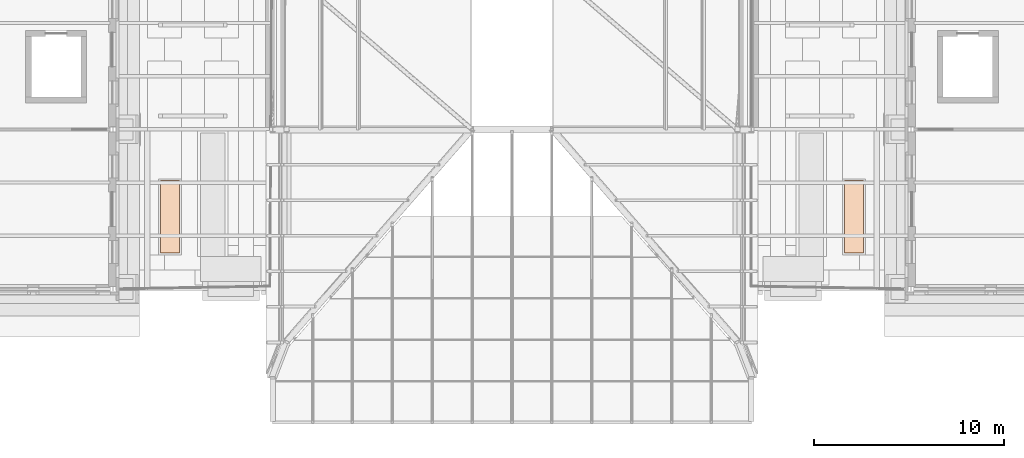
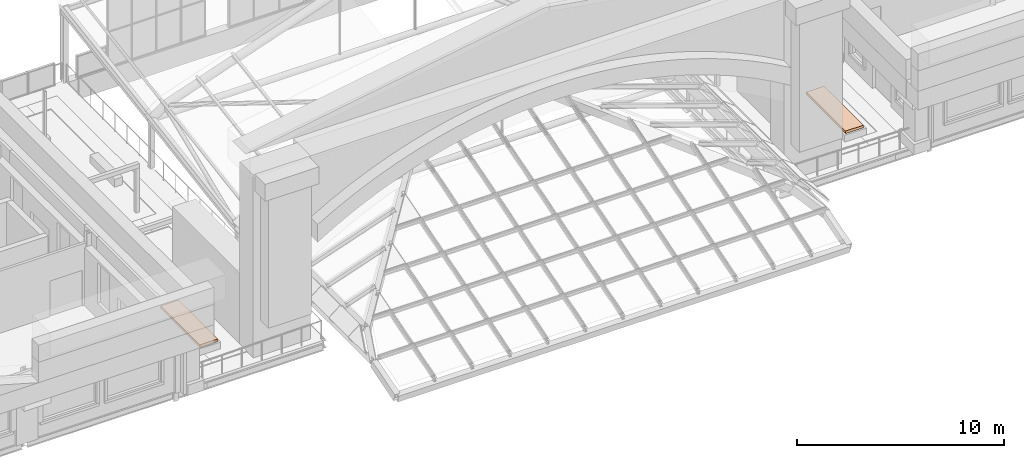
# One storey, part 76 of 76: 2 geographic elements.
"""IFC4 building model written with IfcOpenShell, lengths in metres."""

import ifcopenshell
import ifcopenshell.guid

model = None  # the IFC model being written
_history = None  # IfcOwnerHistory: only IFC2X3 demands one
_inside = {}  # id of a spatial element -> (the spatial element, [elements in it])
_under = {}  # id of a project, library or spatial element -> (it, [spatial elements below it])
_declared = {}  # id of a project -> (the project, [libraries it declares])
_typed = {}  # id of a type object -> (the type object, [elements of that type])
_made_of = {}  # id of a material, layer set ... -> (it, [elements and type objects made of it])


def new_model(schema):
    """Start an empty IFC model of exactly this schema.

    Asked for "IFC4X3", IfcOpenShell would pick the latest addendum, in which some entities
    have other attributes; the version numbers below select the first issue.
    IFC2X3 requires an IfcOwnerHistory on every rooted entity: one is made here for all.
    """
    global model, _history
    if schema == "IFC4X3":
        model = ifcopenshell.file(schema_version=(4, 3, 0, 0))
    else:
        model = ifcopenshell.file(schema=schema)
    _inside.clear()
    _under.clear()
    _declared.clear()
    _typed.clear()
    _made_of.clear()
    _history = None
    if model.schema == "IFC2X3":
        org = make("IfcOrganization", Name="unknown")
        user = make(
            "IfcPersonAndOrganization",
            ThePerson=make("IfcPerson", FamilyName="unknown"),
            TheOrganization=org,
        )
        app = make(
            "IfcApplication",
            ApplicationDeveloper=org,
            Version="unknown",
            ApplicationFullName="unknown",
            ApplicationIdentifier="unknown",
        )
        _history = make(
            "IfcOwnerHistory",
            OwningUser=user,
            OwningApplication=app,
            ChangeAction="ADDED",
            CreationDate=0,
        )
    return model


def make(cls, **values):
    """One entity of the class cls with the attributes given. An attribute that is None is left unset."""
    return model.create_entity(
        cls, **{name: value for name, value in values.items() if value is not None}
    )


def rooted(cls, **values):
    """An entity with a GlobalId (a new one), such as an element, a storey or a relation."""
    return make(cls, GlobalId=ifcopenshell.guid.new(), OwnerHistory=_history, **values)


def si_unit(unit_type, name, prefix=None):
    """IfcSIUnit, for example si_unit("LENGTHUNIT", "METRE", prefix="MILLI")."""
    return make("IfcSIUnit", UnitType=unit_type, Prefix=prefix, Name=name)


def assignment(units):
    """IfcUnitAssignment: the units of a project."""
    return None if units is None else make("IfcUnitAssignment", Units=units)


def point(xyz):
    """IfcCartesianPoint."""
    return None if xyz is None else make("IfcCartesianPoint", Coordinates=xyz)


def direction(xyz):
    """IfcDirection."""
    return None if xyz is None else make("IfcDirection", DirectionRatios=xyz)


def frame(location, z_axis=None, x_axis=None):
    """IfcAxis2Placement3D, a coordinate frame: its origin and axes. An axis left out is left unset."""
    return make(
        "IfcAxis2Placement3D",
        Location=point(location),
        Axis=direction(z_axis),
        RefDirection=direction(x_axis),
    )


def frame_2d(location, x_axis=None):
    """IfcAxis2Placement2D, a coordinate frame in the plane: its origin and x axis."""
    return make(
        "IfcAxis2Placement2D", Location=point(location), RefDirection=direction(x_axis)
    )


def origin():
    """The frame at (0, 0, 0) with its axes left unset."""
    return frame((0.0, 0.0, 0.0))


def origin_2d():
    """The frame at (0, 0) in the plane with its x axis left unset."""
    return frame_2d((0.0, 0.0))


def place(relative_to, where):
    """IfcLocalPlacement: puts the frame where relative to a parent placement (None: the world)."""
    return make(
        "IfcLocalPlacement", PlacementRelTo=relative_to, RelativePlacement=where
    )


def context(
    kind, dimensions, precision=None, world=None, true_north=None, identifier=None
):
    """IfcGeometricRepresentationContext, for example the 3D "Model" context."""
    return make(
        "IfcGeometricRepresentationContext",
        ContextIdentifier=identifier,
        ContextType=kind,
        CoordinateSpaceDimension=dimensions,
        Precision=precision,
        WorldCoordinateSystem=world,
        TrueNorth=true_north,
    )


def subcontext(parent, identifier, kind, view, scale=None):
    """IfcGeometricRepresentationSubContext, for example "Body" below "Model"."""
    return make(
        "IfcGeometricRepresentationSubContext",
        ContextIdentifier=identifier,
        ContextType=kind,
        ParentContext=parent,
        TargetScale=scale,
        TargetView=view,
    )


def project(units=None, contexts=None):
    """IfcProject with its units and contexts."""
    return rooted(
        "IfcProject",
        Name="project",
        RepresentationContexts=contexts,
        UnitsInContext=assignment(units),
    )


def spatial(cls, under=None, at=None, **own):
    """A site, building, storey or space (cls), placed at a placement, below another one or the project."""
    s = rooted(cls, ObjectPlacement=at, **own)
    if under is not None:
        _under.setdefault(under.id(), (under, []))[1].append(s)
    return s


def profile(cls, at=None, kind="AREA", **sizes):
    """A parametric profile (cls). Its sizes go by their IFC names, for example OverallWidth=200.0."""
    return make(cls, ProfileType=kind, Position=at, **sizes)


def rectangle(**sizes):
    """IfcRectangleProfileDef."""
    return profile("IfcRectangleProfileDef", **sizes)


def extrude(swept, where, along, depth):
    """IfcExtrudedAreaSolid: the profile swept, set in the frame where, extruded along a direction by depth."""
    return make(
        "IfcExtrudedAreaSolid",
        SweptArea=swept,
        Position=where,
        ExtrudedDirection=direction(along),
        Depth=depth,
    )


def shape(context_of_items, identifier, shape_type, items):
    """IfcShapeRepresentation: the items that make up one representation, for example the "Body"."""
    return make(
        "IfcShapeRepresentation",
        ContextOfItems=context_of_items,
        RepresentationIdentifier=identifier,
        RepresentationType=shape_type,
        Items=items,
    )


def material(Name=None, Category=None):
    """IfcMaterial."""
    return make("IfcMaterial", Name=Name, Category=Category)


def made_of(thing, what):
    """Note that an element or type object is made of a material, layer set ...; save() writes the relation."""
    if what is not None:
        _made_of.setdefault(what.id(), (what, []))[1].append(thing)
    return thing


def type_object(cls, material=None, **own):
    """A type object (cls), such as IfcWallType, which elements share."""
    return made_of(rooted(cls, **own), material)


def element(
    cls,
    number,
    at=None,
    inside=None,
    cuts=None,
    type_object=None,
    material=None,
    context=None,
    identifier="Body",
    shape_type=None,
    held_by="IfcProductDefinitionShape",
    body=None,
    shapes=None,
    **own,
):
    """One element of the class cls, such as IfcWall. Its Tag is "e" and its number.

    at: its placement. inside: the storey or other place that contains it. cuts: it is an
    opening in that element (IfcRelVoidsElement). A single representation is given by context,
    identifier, shape_type and body (its items); several are given by shapes. held_by: the class
    of the entity that holds the representations. save() writes the other relations.
    """
    e = rooted(cls, Tag="e%d" % number, ObjectPlacement=at, **own)
    if body is not None:
        shapes = [shape(context, identifier, shape_type, body)]
    if shapes is not None:
        e.Representation = make(held_by, Representations=shapes)
    if inside is not None:
        _inside.setdefault(inside.id(), (inside, []))[1].append(e)
    if cuts is not None:
        rooted(
            "IfcRelVoidsElement", RelatingBuildingElement=cuts, RelatedOpeningElement=e
        )
    if type_object is not None:
        _typed.setdefault(type_object.id(), (type_object, []))[1].append(e)
    return made_of(e, material)


def aggregate(whole, parts):
    """IfcRelAggregates: a whole, such as a stair, and the parts it consists of."""
    return rooted("IfcRelAggregates", RelatingObject=whole, RelatedObjects=parts)


def save(model, path):
    """Write the relations noted so far, then the file.

    IfcRelAggregates (storeys below a building ...), IfcRelContainedInSpatialStructure (elements
    in a storey), IfcRelDefinesByType, IfcRelAssociatesMaterial and IfcRelDeclares: one each for
    every whole, place, type object, material and project.
    """
    for whole, parts in _under.values():
        aggregate(whole, parts)
    for where, things in _inside.values():
        rooted(
            "IfcRelContainedInSpatialStructure",
            RelatedElements=things,
            RelatingStructure=where,
        )
    for kind, things in _typed.values():
        rooted("IfcRelDefinesByType", RelatedObjects=things, RelatingType=kind)
    for what, things in _made_of.values():
        rooted("IfcRelAssociatesMaterial", RelatedObjects=things, RelatingMaterial=what)
    for by, libraries in _declared.values():
        rooted("IfcRelDeclares", RelatingContext=by, RelatedDefinitions=libraries)
    model.write(path)


model = new_model("IFC4")

# Units and contexts
model_context = context("Model", 3, precision=1e-05, world=origin(), true_north=direction((0.0, 1.0)))
body_context = subcontext(model_context, "Body", "Model", "MODEL_VIEW")
ifc_project = project(units=[si_unit("LENGTHUNIT", "METRE"), si_unit("AREAUNIT", "SQUARE_METRE"), si_unit("VOLUMEUNIT", "CUBIC_METRE"), si_unit("PLANEANGLEUNIT", "RADIAN"), si_unit("MASSUNIT", "GRAM", prefix="KILO")], contexts=[model_context])

# Site, building, storey
site_placement = place(None, origin())
site = spatial("IfcSite", under=ifc_project, at=site_placement, CompositionType="ELEMENT")
building_placement = place(site_placement, origin())
building = spatial("IfcBuilding", under=site, at=building_placement, Name="Sava Quay Ferry Terminal", CompositionType="ELEMENT")
storey_placement = place(building_placement, frame((0.0, 0.0, 10.800048828125)))
storey = spatial("IfcBuildingStorey", under=building, at=storey_placement, Name="L02", CompositionType="ELEMENT", Elevation=10.800048828125)

# Geographic elements
ifc_material = material(Name="Turf and topsoil")
geographic_element_type = type_object("IfcGeographicElementType", Name="Planting bed 150", PredefinedType="TERRAIN", material=ifc_material)
for number, where, z_axis, x_axis, name in (
    (1, (45.0, 29.0, 0.449951171875), (0.0, 0.0, 1.0), (1.0, 0.0, 0.0), "Planting bed"),
    (2, (81.0, 29.0, 0.449951171875), (0.0, 0.0, 1.0), (1.0, 0.0, 0.0), "Planting bed"),
):
    element("IfcGeographicElement", number, at=place(storey_placement, frame(where, z_axis=z_axis, x_axis=x_axis)), inside=storey, type_object=geographic_element_type, Name=name, PredefinedType="TERRAIN", context=body_context, shape_type="SweptSolid", body=[
        extrude(rectangle(XDim=1.0, YDim=3.800048828125, at=origin_2d()), origin(), (0.0, 0.0, 1.0), 0.14990234375),
    ])

save(model, "model.ifc")
